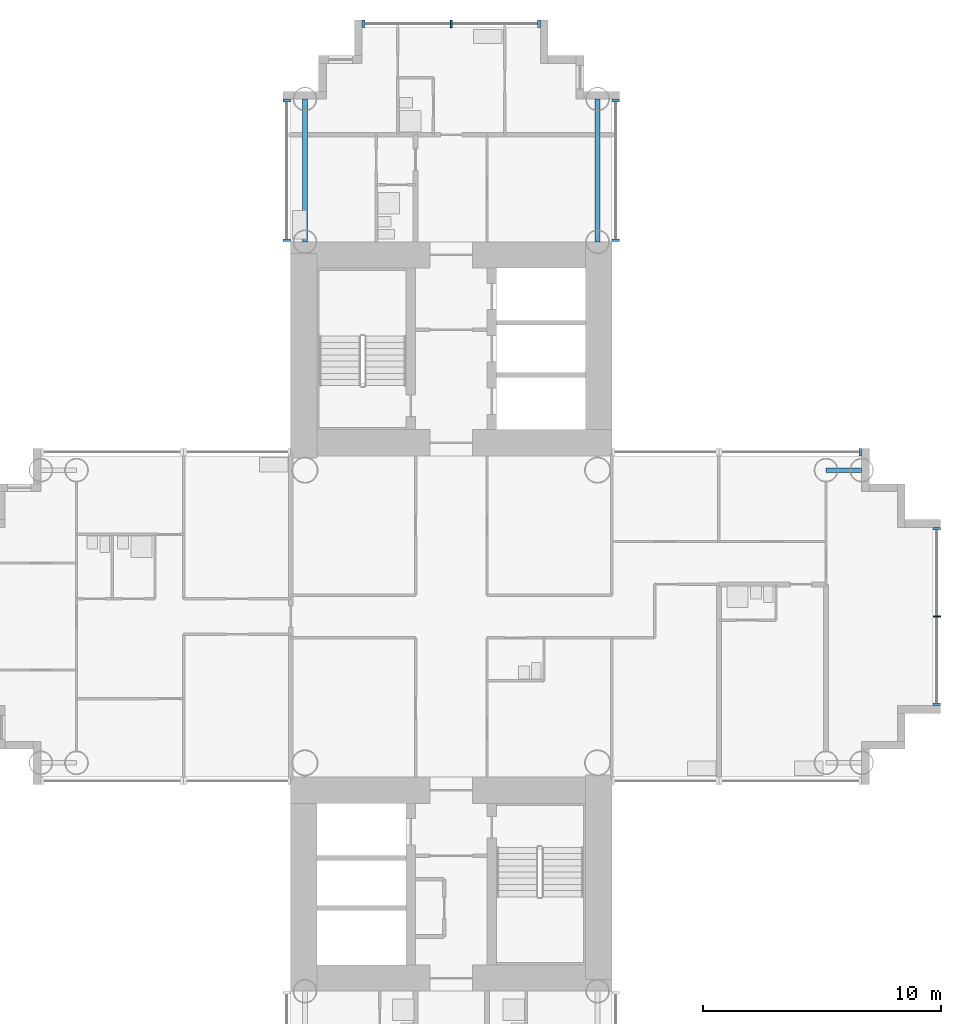
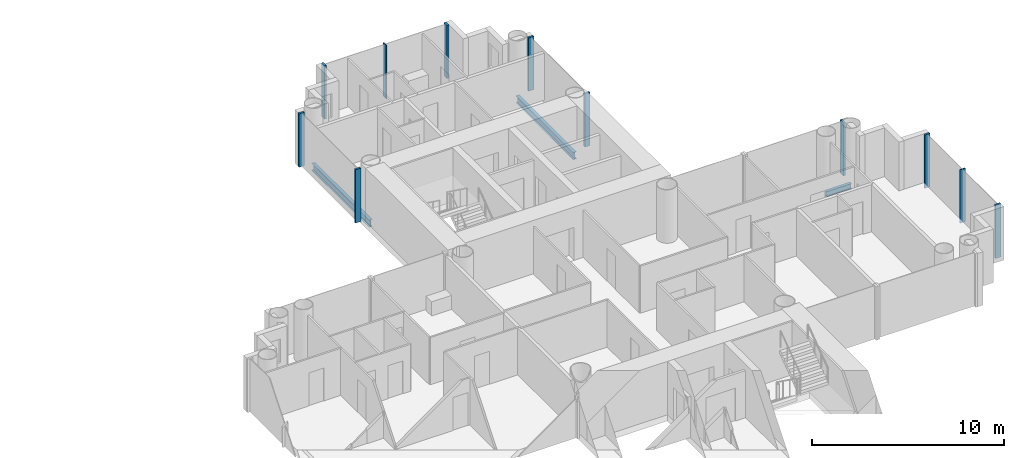
# One storey, part 6 of 22: 11 members, 3 beams, 5 elements without a shape of their own.
"""IFC4 building model written with IfcOpenShell, lengths in metres."""

from ifc_helpers import new_model, si_unit, direction, frame, origin, origin_2d, place, context, subcontext, project, spatial, rectangle, i_section, extrude, material, layer, layer_set, material_profile, profile_set, type_object, element, aggregate, save


model = new_model("IFC4")

# Units and contexts
model_context = context("Model", 3, precision=1e-05, world=origin(), true_north=direction((0.0, 1.0)))
body_context = subcontext(model_context, "Body", "Model", "MODEL_VIEW")
ifc_project = project(units=[si_unit("LENGTHUNIT", "METRE"), si_unit("AREAUNIT", "SQUARE_METRE"), si_unit("VOLUMEUNIT", "CUBIC_METRE"), si_unit("PLANEANGLEUNIT", "RADIAN"), si_unit("MASSUNIT", "GRAM", prefix="KILO")], contexts=[model_context])

# Site, building, storey
site_placement = place(None, origin())
site = spatial("IfcSite", under=ifc_project, at=site_placement, CompositionType="ELEMENT")
building_placement = place(site_placement, origin())
building = spatial("IfcBuilding", under=site, at=building_placement, Name="Ipe Terrace Towers", CompositionType="ELEMENT")
storey_placement = place(building_placement, frame((0.0, 0.0, 55.10009765625)))
storey = spatial("IfcBuildingStorey", under=building, at=storey_placement, Name="L14", CompositionType="ELEMENT", Elevation=55.10009765625)

# Beams
ifc_material_1 = material(Name="Steel S355", Category="steel")
ifc_material_profile_1 = material_profile(ifc_material_1, i_section(OverallWidth=0.175048828125, OverallDepth=0.35009765625, WebThickness=0.007080078125, FlangeThickness=0.010986328125, at=origin_2d()), Name="H-350x175x7x11")
ifc_profile_set_1 = profile_set([ifc_material_profile_1], Name="Steel S355")
beam_type_1 = type_object("IfcBeamType", Name="H04 EDGE BEAM H-350x175x7x11", PredefinedType="BEAM", material=ifc_profile_set_1)
beam_placement = place(storey_placement, frame((51.75, 6.14990234375, -0.5751953125), z_axis=(1.0, 0.0, 0.0), x_axis=(0.0, 1.0, 0.0)))
element("IfcBeam", 1, at=beam_placement, inside=storey, type_object=beam_type_1, Name="Edge beam T2-EB-D04-D06", PredefinedType="BEAM", context=body_context, shape_type="SweptSolid", body=[
    extrude(i_section(OverallWidth=0.175048828125, OverallDepth=0.35009765625, WebThickness=0.007080078125, FlangeThickness=0.010986328125, at=origin_2d()), origin(), (0.0, 0.0, 1.0), 1.5),
])
ifc_material_2 = material(Name="Steel S355", Category="steel")
ifc_material_profile_2 = material_profile(ifc_material_2, i_section(OverallWidth=0.199951171875, OverallDepth=0.449951171875, WebThickness=0.009033203125, FlangeThickness=0.013916015625, at=origin_2d()), Name="H-450x200x9x14")
ifc_profile_set_2 = profile_set([ifc_material_profile_2], Name="Steel S355")
beam_type_2 = type_object("IfcBeamType", Name="H08 EDGE BEAM H-450x200x9x14", PredefinedType="BEAM", material=ifc_profile_set_2)
for number, where, z_axis, x_axis, name in (
    (2, (42.14990234375, 15.75, -0.625), (0.0, 1.0, 0.0), (-1.0, 0.0, 0.0), "Edge beam T2-EB-A01-A03"),
    (3, (29.85009765625, 15.75, -0.625), (0.0, 1.0, 0.0), (-1.0, 0.0, 0.0), "Edge beam T2-EB-A02-A04"),
):
    element("IfcBeam", number, at=place(storey_placement, frame(where, z_axis=z_axis, x_axis=x_axis)), inside=storey, type_object=beam_type_2, Name=name, PredefinedType="BEAM", context=body_context, shape_type="SweptSolid", body=[
        extrude(i_section(OverallWidth=0.199951171875, OverallDepth=0.449951171875, WebThickness=0.009033203125, FlangeThickness=0.013916015625, at=origin_2d()), origin(), (0.0, 0.0, 1.0), 6.0),
    ])

# Curtain wall, members
ifc_material_3 = material(Name="Aluminium alloy 6063-T6", Category="aluminium")
ifc_layer = layer(ifc_material_3, 0.320068359375)
ifc_layer_set = layer_set([ifc_layer], Name="TOWER UNITISED CURTAIN WALL")
curtain_wall_type = type_object("IfcCurtainWallType", Name="TOWER UNITISED CURTAIN WALL", PredefinedType="NOTDEFINED", material=ifc_layer_set)
curtain_wall_1_placement = place(storey_placement, origin())
curtain_wall_1 = element("IfcCurtainWall", 4, at=curtain_wall_1_placement, inside=storey, type_object=curtain_wall_type, Name="T2-CW-L14-12a curtain wall", PredefinedType="NOTDEFINED")
ifc_material_4 = material(Name="Aluminium alloy 6063-T6", Category="aluminium")
ifc_material_profile_3 = material_profile(ifc_material_4, rectangle(XDim=0.320068359375, YDim=0.1201171875, at=origin_2d()), Name="TOWER UNITISED CORNER MULLION 320 x 120")
ifc_profile_set_3 = profile_set([ifc_material_profile_3], Name="Aluminium alloy 6063-T6")
member_type_1 = type_object("IfcMemberType", Name="TOWER UNITISED CORNER MULLION 320 x 120", PredefinedType="MULLION", material=ifc_profile_set_3)
member_1_placement = place(storey_placement, frame((56.409912109375, -3.68994140625, -0.300048828125), z_axis=(0.0, 0.0, 1.0), x_axis=(1.0, 0.0, 0.0)))
member_1 = element("IfcMember", 5, at=member_1_placement, type_object=member_type_1, Name="T2-CW-L14-12a mullion 1", PredefinedType="MULLION", context=body_context, shape_type="SweptSolid", body=[
    extrude(rectangle(XDim=0.320068359375, YDim=0.1201171875, at=origin_2d()), origin(), (0.0, 0.0, 1.0), 3.39990234375),
])
member_2_placement = place(storey_placement, frame((56.409912109375, 3.68994140625, -0.300048828125), z_axis=(0.0, 0.0, 1.0), x_axis=(1.0, 0.0, 0.0)))
member_2 = element("IfcMember", 6, at=member_2_placement, type_object=member_type_1, Name="T2-CW-L14-12a mullion 3", PredefinedType="MULLION", context=body_context, shape_type="SweptSolid", body=[
    extrude(rectangle(XDim=0.320068359375, YDim=0.1201171875, at=origin_2d()), origin(), (0.0, 0.0, 1.0), 3.39990234375),
])

# Curtain wall, member
curtain_wall_2_placement = place(storey_placement, origin())
curtain_wall_2 = element("IfcCurtainWall", 7, at=curtain_wall_2_placement, inside=storey, type_object=curtain_wall_type, Name="T2-CW-L14-17a curtain wall", PredefinedType="NOTDEFINED")
member_3_placement = place(storey_placement, frame((53.18994140625, 6.909912109375, -0.300048828125), z_axis=(0.0, 0.0, 1.0), x_axis=(0.0, 1.0, 0.0)))
member_3 = element("IfcMember", 8, at=member_3_placement, type_object=member_type_1, Name="T2-CW-L14-17a mullion 1", PredefinedType="MULLION", context=body_context, shape_type="SweptSolid", body=[
    extrude(rectangle(XDim=0.320068359375, YDim=0.1201171875, at=origin_2d()), origin(), (0.0, 0.0, 1.0), 3.39990234375),
])
aggregate(curtain_wall_2, [member_3])

# Curtain wall, members
curtain_wall_3_placement = place(storey_placement, origin())
curtain_wall_3 = element("IfcCurtainWall", 9, at=curtain_wall_3_placement, inside=storey, type_object=curtain_wall_type, Name="T2-CW-L14-20b curtain wall", PredefinedType="NOTDEFINED")
member_4_placement = place(storey_placement, frame((42.909912109375, 15.81103515625, -0.300048828125), z_axis=(0.0, 0.0, 1.0), x_axis=(1.0, 0.0, 0.0)))
member_4 = element("IfcMember", 10, at=member_4_placement, type_object=member_type_1, Name="T2-CW-L14-20b mullion 1", PredefinedType="MULLION", context=body_context, shape_type="SweptSolid", body=[
    extrude(rectangle(XDim=0.320068359375, YDim=0.1201171875, at=origin_2d()), origin(), (0.0, 0.0, 1.0), 3.39990234375),
])
member_5_placement = place(storey_placement, frame((42.909912109375, 21.68994140625, -0.300048828125), z_axis=(0.0, 0.0, 1.0), x_axis=(1.0, 0.0, 0.0)))
member_5 = element("IfcMember", 11, at=member_5_placement, type_object=member_type_1, Name="T2-CW-L14-20b mullion 2", PredefinedType="MULLION", context=body_context, shape_type="SweptSolid", body=[
    extrude(rectangle(XDim=0.320068359375, YDim=0.1201171875, at=origin_2d()), origin(), (0.0, 0.0, 1.0), 3.39990234375),
])
aggregate(curtain_wall_3, [member_4, member_5])

curtain_wall_4_placement = place(storey_placement, origin())
curtain_wall_4 = element("IfcCurtainWall", 12, at=curtain_wall_4_placement, inside=storey, type_object=curtain_wall_type, Name="T2-CW-L14-25a curtain wall", PredefinedType="NOTDEFINED")
member_6_placement = place(storey_placement, frame((39.68994140625, 24.909912109375, -0.300048828125), z_axis=(0.0, 0.0, 1.0), x_axis=(0.0, 1.0, 0.0)))
member_6 = element("IfcMember", 13, at=member_6_placement, type_object=member_type_1, Name="T2-CW-L14-25a mullion 1", PredefinedType="MULLION", context=body_context, shape_type="SweptSolid", body=[
    extrude(rectangle(XDim=0.320068359375, YDim=0.1201171875, at=origin_2d()), origin(), (0.0, 0.0, 1.0), 3.39990234375),
])
member_7_placement = place(storey_placement, frame((32.31005859375, 24.909912109375, -0.300048828125), z_axis=(0.0, 0.0, 1.0), x_axis=(0.0, 1.0, 0.0)))
member_7 = element("IfcMember", 14, at=member_7_placement, type_object=member_type_1, Name="T2-CW-L14-25a mullion 3", PredefinedType="MULLION", context=body_context, shape_type="SweptSolid", body=[
    extrude(rectangle(XDim=0.320068359375, YDim=0.1201171875, at=origin_2d()), origin(), (0.0, 0.0, 1.0), 3.39990234375),
])

curtain_wall_5_placement = place(storey_placement, origin())
curtain_wall_5 = element("IfcCurtainWall", 15, at=curtain_wall_5_placement, inside=storey, type_object=curtain_wall_type, Name="T2-CW-L14-30a curtain wall", PredefinedType="NOTDEFINED")
member_8_placement = place(storey_placement, frame((29.090087890625, 21.68994140625, -0.300048828125), z_axis=(0.0, 0.0, 1.0), x_axis=(-1.0, 0.0, 0.0)))
member_8 = element("IfcMember", 16, at=member_8_placement, type_object=member_type_1, Name="T2-CW-L14-30a mullion 1", PredefinedType="MULLION", context=body_context, shape_type="SweptSolid", body=[
    extrude(rectangle(XDim=0.320068359375, YDim=0.1201171875, at=origin_2d()), origin(), (0.0, 0.0, 1.0), 3.39990234375),
])
member_9_placement = place(storey_placement, frame((29.090087890625, 15.81103515625, -0.300048828125), z_axis=(0.0, 0.0, 1.0), x_axis=(-1.0, 0.0, 0.0)))
member_9 = element("IfcMember", 17, at=member_9_placement, type_object=member_type_1, Name="T2-CW-L14-30a mullion 2", PredefinedType="MULLION", context=body_context, shape_type="SweptSolid", body=[
    extrude(rectangle(XDim=0.320068359375, YDim=0.1201171875, at=origin_2d()), origin(), (0.0, 0.0, 1.0), 3.39990234375),
])
aggregate(curtain_wall_5, [member_8, member_9])

# Member
ifc_material_5 = material(Name="Aluminium alloy 6063-T6", Category="aluminium")
ifc_material_profile_4 = material_profile(ifc_material_5, rectangle(XDim=0.320068359375, YDim=0.06494140625, at=origin_2d()), Name="TOWER UNITISED MULLION 320 x 65")
ifc_profile_set_4 = profile_set([ifc_material_profile_4], Name="Aluminium alloy 6063-T6")
member_type_2 = type_object("IfcMemberType", Name="TOWER UNITISED MULLION 320 x 65", PredefinedType="MULLION", material=ifc_profile_set_4)
member_10_placement = place(storey_placement, frame((56.409912109375, 0.0, -0.300048828125), z_axis=(0.0, 0.0, 1.0), x_axis=(1.0, 0.0, 0.0)))
member_10 = element("IfcMember", 18, at=member_10_placement, type_object=member_type_2, Name="T2-CW-L14-12a mullion 2", PredefinedType="MULLION", context=body_context, shape_type="SweptSolid", body=[
    extrude(rectangle(XDim=0.320068359375, YDim=0.06494140625, at=origin_2d()), origin(), (0.0, 0.0, 1.0), 3.39990234375),
])

aggregate(curtain_wall_1, [member_1, member_10, member_2])

member_11_placement = place(storey_placement, frame((36.0, 24.909912109375, -0.300048828125), z_axis=(0.0, 0.0, 1.0), x_axis=(0.0, 1.0, 0.0)))
member_11 = element("IfcMember", 19, at=member_11_placement, type_object=member_type_2, Name="T2-CW-L14-25a mullion 2", PredefinedType="MULLION", context=body_context, shape_type="SweptSolid", body=[
    extrude(rectangle(XDim=0.320068359375, YDim=0.06494140625, at=origin_2d()), origin(), (0.0, 0.0, 1.0), 3.39990234375),
])

aggregate(curtain_wall_4, [member_6, member_11, member_7])

save(model, "model.ifc")
